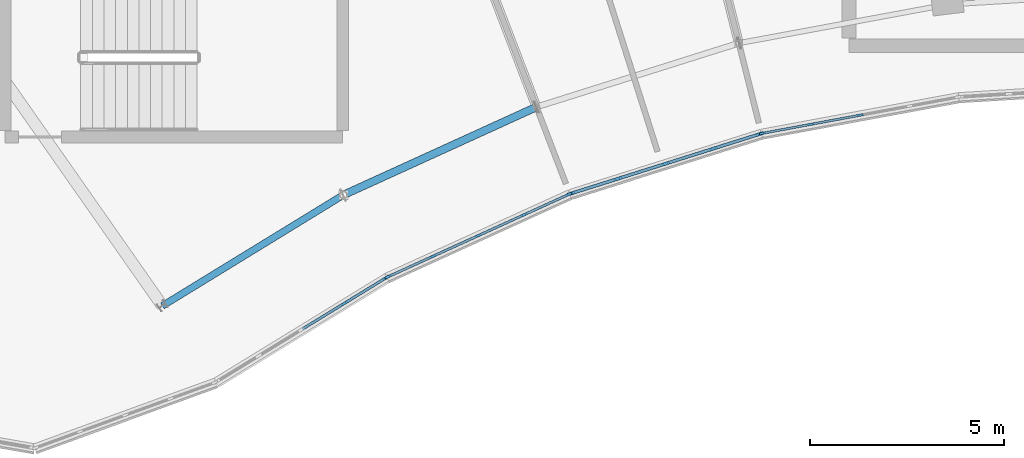
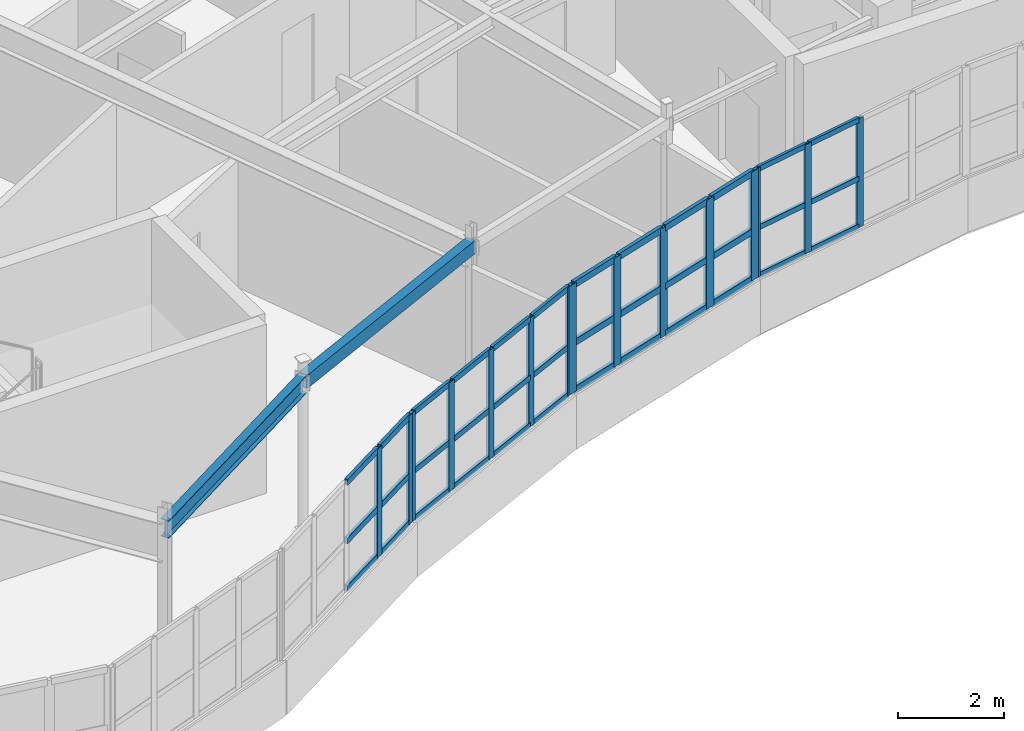
# One storey, part 26 of 65: 51 members, 2 beams, 4 elements without a shape of their own.
"""IFC4 building model written with IfcOpenShell, lengths in metres."""

import ifcopenshell
import ifcopenshell.guid

model = None  # the IFC model being written
_history = None  # IfcOwnerHistory: only IFC2X3 demands one
_inside = {}  # id of a spatial element -> (the spatial element, [elements in it])
_under = {}  # id of a project, library or spatial element -> (it, [spatial elements below it])
_declared = {}  # id of a project -> (the project, [libraries it declares])
_typed = {}  # id of a type object -> (the type object, [elements of that type])
_made_of = {}  # id of a material, layer set ... -> (it, [elements and type objects made of it])


def new_model(schema):
    """Start an empty IFC model of exactly this schema.

    Asked for "IFC4X3", IfcOpenShell would pick the latest addendum, in which some entities
    have other attributes; the version numbers below select the first issue.
    IFC2X3 requires an IfcOwnerHistory on every rooted entity: one is made here for all.
    """
    global model, _history
    if schema == "IFC4X3":
        model = ifcopenshell.file(schema_version=(4, 3, 0, 0))
    else:
        model = ifcopenshell.file(schema=schema)
    _inside.clear()
    _under.clear()
    _declared.clear()
    _typed.clear()
    _made_of.clear()
    _history = None
    if model.schema == "IFC2X3":
        org = make("IfcOrganization", Name="unknown")
        user = make(
            "IfcPersonAndOrganization",
            ThePerson=make("IfcPerson", FamilyName="unknown"),
            TheOrganization=org,
        )
        app = make(
            "IfcApplication",
            ApplicationDeveloper=org,
            Version="unknown",
            ApplicationFullName="unknown",
            ApplicationIdentifier="unknown",
        )
        _history = make(
            "IfcOwnerHistory",
            OwningUser=user,
            OwningApplication=app,
            ChangeAction="ADDED",
            CreationDate=0,
        )
    return model


def make(cls, **values):
    """One entity of the class cls with the attributes given. An attribute that is None is left unset."""
    return model.create_entity(
        cls, **{name: value for name, value in values.items() if value is not None}
    )


def rooted(cls, **values):
    """An entity with a GlobalId (a new one), such as an element, a storey or a relation."""
    return make(cls, GlobalId=ifcopenshell.guid.new(), OwnerHistory=_history, **values)


def si_unit(unit_type, name, prefix=None):
    """IfcSIUnit, for example si_unit("LENGTHUNIT", "METRE", prefix="MILLI")."""
    return make("IfcSIUnit", UnitType=unit_type, Prefix=prefix, Name=name)


def assignment(units):
    """IfcUnitAssignment: the units of a project."""
    return None if units is None else make("IfcUnitAssignment", Units=units)


def point(xyz):
    """IfcCartesianPoint."""
    return None if xyz is None else make("IfcCartesianPoint", Coordinates=xyz)


def direction(xyz):
    """IfcDirection."""
    return None if xyz is None else make("IfcDirection", DirectionRatios=xyz)


def frame(location, z_axis=None, x_axis=None):
    """IfcAxis2Placement3D, a coordinate frame: its origin and axes. An axis left out is left unset."""
    return make(
        "IfcAxis2Placement3D",
        Location=point(location),
        Axis=direction(z_axis),
        RefDirection=direction(x_axis),
    )


def frame_2d(location, x_axis=None):
    """IfcAxis2Placement2D, a coordinate frame in the plane: its origin and x axis."""
    return make(
        "IfcAxis2Placement2D", Location=point(location), RefDirection=direction(x_axis)
    )


def origin():
    """The frame at (0, 0, 0) with its axes left unset."""
    return frame((0.0, 0.0, 0.0))


def origin_2d():
    """The frame at (0, 0) in the plane with its x axis left unset."""
    return frame_2d((0.0, 0.0))


def place(relative_to, where):
    """IfcLocalPlacement: puts the frame where relative to a parent placement (None: the world)."""
    return make(
        "IfcLocalPlacement", PlacementRelTo=relative_to, RelativePlacement=where
    )


def context(
    kind, dimensions, precision=None, world=None, true_north=None, identifier=None
):
    """IfcGeometricRepresentationContext, for example the 3D "Model" context."""
    return make(
        "IfcGeometricRepresentationContext",
        ContextIdentifier=identifier,
        ContextType=kind,
        CoordinateSpaceDimension=dimensions,
        Precision=precision,
        WorldCoordinateSystem=world,
        TrueNorth=true_north,
    )


def subcontext(parent, identifier, kind, view, scale=None):
    """IfcGeometricRepresentationSubContext, for example "Body" below "Model"."""
    return make(
        "IfcGeometricRepresentationSubContext",
        ContextIdentifier=identifier,
        ContextType=kind,
        ParentContext=parent,
        TargetScale=scale,
        TargetView=view,
    )


def project(units=None, contexts=None):
    """IfcProject with its units and contexts."""
    return rooted(
        "IfcProject",
        Name="project",
        RepresentationContexts=contexts,
        UnitsInContext=assignment(units),
    )


def spatial(cls, under=None, at=None, **own):
    """A site, building, storey or space (cls), placed at a placement, below another one or the project."""
    s = rooted(cls, ObjectPlacement=at, **own)
    if under is not None:
        _under.setdefault(under.id(), (under, []))[1].append(s)
    return s


def profile(cls, at=None, kind="AREA", **sizes):
    """A parametric profile (cls). Its sizes go by their IFC names, for example OverallWidth=200.0."""
    return make(cls, ProfileType=kind, Position=at, **sizes)


def rectangle(**sizes):
    """IfcRectangleProfileDef."""
    return profile("IfcRectangleProfileDef", **sizes)


def hollow_rectangle(**sizes):
    """IfcRectangleHollowProfileDef."""
    return profile("IfcRectangleHollowProfileDef", **sizes)


def i_section(**sizes):
    """IfcIShapeProfileDef."""
    return profile("IfcIShapeProfileDef", **sizes)


def extrude(swept, where, along, depth):
    """IfcExtrudedAreaSolid: the profile swept, set in the frame where, extruded along a direction by depth."""
    return make(
        "IfcExtrudedAreaSolid",
        SweptArea=swept,
        Position=where,
        ExtrudedDirection=direction(along),
        Depth=depth,
    )


def shape(context_of_items, identifier, shape_type, items):
    """IfcShapeRepresentation: the items that make up one representation, for example the "Body"."""
    return make(
        "IfcShapeRepresentation",
        ContextOfItems=context_of_items,
        RepresentationIdentifier=identifier,
        RepresentationType=shape_type,
        Items=items,
    )


def material(Name=None, Category=None):
    """IfcMaterial."""
    return make("IfcMaterial", Name=Name, Category=Category)


def layer(
    of_material, thickness, ventilated=None, Name=None, Category=None, Priority=None
):
    """IfcMaterialLayer: one layer of a wall or slab, of a material (None: an air gap)."""
    return make(
        "IfcMaterialLayer",
        Material=of_material,
        LayerThickness=thickness,
        IsVentilated=ventilated,
        Name=Name,
        Category=Category,
        Priority=Priority,
    )


def layer_set(layers, Name=None):
    """IfcMaterialLayerSet."""
    return make("IfcMaterialLayerSet", MaterialLayers=layers, LayerSetName=Name)


def material_profile(
    of_material, cross_section, Name=None, Category=None, Priority=None
):
    """IfcMaterialProfile: a cross section and its material."""
    return make(
        "IfcMaterialProfile",
        Name=Name,
        Material=of_material,
        Profile=cross_section,
        Priority=Priority,
        Category=Category,
    )


def profile_set(profiles, Name=None, composite=None):
    """IfcMaterialProfileSet."""
    return make(
        "IfcMaterialProfileSet",
        Name=Name,
        MaterialProfiles=profiles,
        CompositeProfile=composite,
    )


def made_of(thing, what):
    """Note that an element or type object is made of a material, layer set ...; save() writes the relation."""
    if what is not None:
        _made_of.setdefault(what.id(), (what, []))[1].append(thing)
    return thing


def type_object(cls, material=None, **own):
    """A type object (cls), such as IfcWallType, which elements share."""
    return made_of(rooted(cls, **own), material)


def element(
    cls,
    number,
    at=None,
    inside=None,
    cuts=None,
    type_object=None,
    material=None,
    context=None,
    identifier="Body",
    shape_type=None,
    held_by="IfcProductDefinitionShape",
    body=None,
    shapes=None,
    **own,
):
    """One element of the class cls, such as IfcWall. Its Tag is "e" and its number.

    at: its placement. inside: the storey or other place that contains it. cuts: it is an
    opening in that element (IfcRelVoidsElement). A single representation is given by context,
    identifier, shape_type and body (its items); several are given by shapes. held_by: the class
    of the entity that holds the representations. save() writes the other relations.
    """
    e = rooted(cls, Tag="e%d" % number, ObjectPlacement=at, **own)
    if body is not None:
        shapes = [shape(context, identifier, shape_type, body)]
    if shapes is not None:
        e.Representation = make(held_by, Representations=shapes)
    if inside is not None:
        _inside.setdefault(inside.id(), (inside, []))[1].append(e)
    if cuts is not None:
        rooted(
            "IfcRelVoidsElement", RelatingBuildingElement=cuts, RelatedOpeningElement=e
        )
    if type_object is not None:
        _typed.setdefault(type_object.id(), (type_object, []))[1].append(e)
    return made_of(e, material)


def aggregate(whole, parts):
    """IfcRelAggregates: a whole, such as a stair, and the parts it consists of."""
    return rooted("IfcRelAggregates", RelatingObject=whole, RelatedObjects=parts)


def save(model, path):
    """Write the relations noted so far, then the file.

    IfcRelAggregates (storeys below a building ...), IfcRelContainedInSpatialStructure (elements
    in a storey), IfcRelDefinesByType, IfcRelAssociatesMaterial and IfcRelDeclares: one each for
    every whole, place, type object, material and project.
    """
    for whole, parts in _under.values():
        aggregate(whole, parts)
    for where, things in _inside.values():
        rooted(
            "IfcRelContainedInSpatialStructure",
            RelatedElements=things,
            RelatingStructure=where,
        )
    for kind, things in _typed.values():
        rooted("IfcRelDefinesByType", RelatedObjects=things, RelatingType=kind)
    for what, things in _made_of.values():
        rooted("IfcRelAssociatesMaterial", RelatedObjects=things, RelatingMaterial=what)
    for by, libraries in _declared.values():
        rooted("IfcRelDeclares", RelatingContext=by, RelatedDefinitions=libraries)
    model.write(path)


model = new_model("IFC4")

# Units and contexts
model_context = context("Model", 3, precision=1e-05, world=origin(), true_north=direction((0.0, 1.0)))
body_context = subcontext(model_context, "Body", "Model", "MODEL_VIEW")
ifc_project = project(units=[si_unit("LENGTHUNIT", "METRE"), si_unit("AREAUNIT", "SQUARE_METRE"), si_unit("VOLUMEUNIT", "CUBIC_METRE"), si_unit("PLANEANGLEUNIT", "RADIAN"), si_unit("MASSUNIT", "GRAM", prefix="KILO")], contexts=[model_context])

# Site, building, storey
site_placement = place(None, origin())
site = spatial("IfcSite", under=ifc_project, at=site_placement, CompositionType="ELEMENT")
building_placement = place(site_placement, origin())
building = spatial("IfcBuilding", under=site, at=building_placement, Name="Tarnwether General Hospital", CompositionType="ELEMENT")
storey_placement = place(building_placement, frame((0.0, 0.0, 22.199951171875)))
storey = spatial("IfcBuildingStorey", under=building, at=storey_placement, Name="L05", CompositionType="ELEMENT", Elevation=22.199951171875)

# Beams
ifc_material_1 = material(Name="Steel Grade 350 (350 MPa)", Category="steel")
ifc_material_profile_1 = material_profile(ifc_material_1, i_section(OverallWidth=0.177978515625, OverallDepth=0.403076171875, WebThickness=0.007568359375, FlangeThickness=0.010986328125, at=origin_2d()), Name="410UB53.7")
ifc_profile_set_1 = profile_set([ifc_material_profile_1], Name="Steel Grade 350 (350 MPa)")
beam_type_1 = type_object("IfcBeamType", Name="BM-SP2", PredefinedType="SPANDREL", material=ifc_profile_set_1)
beam_1_placement = place(storey_placement, frame((66.303955078125, 99.697998046875, 3.358642578125), z_axis=(0.85265897909, 0.522467860617, 0.0), x_axis=(-0.522467860617, 0.85265897909, 0.0)))
element("IfcBeam", 1, at=beam_1_placement, inside=storey, type_object=beam_type_1, Name="Curved Ward NW Inner Spandrel BMG-L05-6630_9970-7097_10256-1988", PredefinedType="SPANDREL", context=body_context, shape_type="SweptSolid", body=[
    extrude(i_section(OverallWidth=0.177978515625, OverallDepth=0.403076171875, WebThickness=0.007568359375, FlangeThickness=0.010986328125, at=origin_2d()), origin(), (0.0, 0.0, 1.0), 5.469970703125),
])
ifc_material_2 = material(Name="Steel Grade C350L0 (350 MPa)", Category="steel")
ifc_material_profile_2 = material_profile(ifc_material_2, hollow_rectangle(XDim=0.199951171875, YDim=0.300048828125, WallThickness=0.012451171875, at=origin_2d()), Name="RHS300x200x12.5")
ifc_profile_set_2 = profile_set([ifc_material_profile_2], Name="Steel Grade C350L0 (350 MPa)")
beam_type_2 = type_object("IfcBeamType", Name="BM-SP3", PredefinedType="SPANDREL", material=ifc_profile_set_2)
beam_2_placement = place(storey_placement, frame((70.968017578125, 102.555908203125, 3.41015625), z_axis=(0.909968605358, 0.414677148228, 0.0), x_axis=(-0.414677148228, 0.909968605358, 0.0)))
element("IfcBeam", 2, at=beam_2_placement, inside=storey, type_object=beam_type_2, Name="Curved Ward NW Inner Spandrel BMG-L05-7097_10256-7594_10482-1990", PredefinedType="SPANDREL", context=body_context, shape_type="SweptSolid", body=[
    extrude(hollow_rectangle(XDim=0.199951171875, YDim=0.300048828125, WallThickness=0.012451171875, at=origin_2d()), origin(), (0.0, 0.0, 1.0), 5.469482421875),
])

# Curtain wall, members
ifc_material_3 = material(Name="Anodised aluminium", Category="aluminium")
ifc_layer = layer(ifc_material_3, 0.159912109375)
ifc_layer_set = layer_set([ifc_layer], Name="Anodised aluminium")
curtain_wall_type = type_object("IfcCurtainWallType", Name="CW-03", PredefinedType="NOTDEFINED", material=ifc_layer_set)
curtain_wall_1_placement = place(storey_placement, origin())
curtain_wall_1 = element("IfcCurtainWall", 3, at=curtain_wall_1_placement, inside=storey, type_object=curtain_wall_type, Name="Curtain Wall CWG-L05-868_1051-0073", PredefinedType="NOTDEFINED")
ifc_material_4 = material(Name="Anodised aluminium", Category="aluminium")
ifc_material_profile_3 = material_profile(ifc_material_4, rectangle(XDim=0.06005859375, YDim=0.159912109375, at=origin_2d()), Name="ALU-MUL-60x160")
ifc_profile_set_3 = profile_set([ifc_material_profile_3], Name="Anodised aluminium")
member_type_1 = type_object("IfcMemberType", Name="CW-ML1", PredefinedType="MULLION", material=ifc_profile_set_3)
member_1_placement = place(storey_placement, frame((84.2880859375, 104.612548828125, 1.050048828125), z_axis=(0.0, 0.0, 1.0), x_axis=(0.182165351666, -0.983267910924, 0.0)))
member_1 = element("IfcMember", 4, at=member_1_placement, type_object=member_type_1, Name="CW-03 mullion 3", PredefinedType="MULLION", context=body_context, shape_type="SweptSolid", body=[
    extrude(rectangle(XDim=0.06005859375, YDim=0.159912109375, at=origin_2d()), origin(), (0.0, 0.0, 1.0), 2.510009765625),
])
member_2_placement = place(storey_placement, frame((83.015380859375, 104.376708984375, 1.050048828125), z_axis=(0.0, 0.0, 1.0), x_axis=(0.182165351666, -0.983267910924, 0.0)))
member_2 = element("IfcMember", 5, at=member_2_placement, type_object=member_type_1, Name="CW-03 mullion 4", PredefinedType="MULLION", context=body_context, shape_type="SweptSolid", body=[
    extrude(rectangle(XDim=0.06005859375, YDim=0.159912109375, at=origin_2d()), origin(), (0.0, 0.0, 1.0), 2.510009765625),
])
member_3_placement = place(storey_placement, frame((81.7724609375, 104.146484375, 1.050048828125), z_axis=(0.0, 0.0, 1.0), x_axis=(0.182165351666, -0.983267910924, 0.0)))
member_3 = element("IfcMember", 6, at=member_3_placement, type_object=member_type_1, Name="CW-03 mullion 5", PredefinedType="MULLION", context=body_context, shape_type="SweptSolid", body=[
    extrude(rectangle(XDim=0.06005859375, YDim=0.159912109375, at=origin_2d()), origin(), (0.0, 0.0, 1.0), 2.510009765625),
])

curtain_wall_2_placement = place(storey_placement, origin())
curtain_wall_2 = element("IfcCurtainWall", 7, at=curtain_wall_2_placement, inside=storey, type_object=curtain_wall_type, Name="Curtain Wall CWG-L05-721_1004-0070", PredefinedType="NOTDEFINED")
ifc_material_5 = material(Name="Anodised aluminium", Category="aluminium")
ifc_material_profile_4 = material_profile(ifc_material_5, rectangle(XDim=0.070068359375, YDim=0.179931640625, at=origin_2d()), Name="ALU-MUL-70x180")
ifc_profile_set_4 = profile_set([ifc_material_profile_4], Name="Anodised aluminium")
member_type_2 = type_object("IfcMemberType", Name="CW-ML2", PredefinedType="MULLION", material=ifc_profile_set_4)
member_4_placement = place(storey_placement, frame((72.064208984375, 100.418701171875, 1.050048828125), z_axis=(0.0, 0.0, 1.0), x_axis=(0.522512231483, -0.852631789198, 0.0)))
member_4 = element("IfcMember", 8, at=member_4_placement, type_object=member_type_2, Name="CW-03 mullion 1", PredefinedType="MULLION", context=body_context, shape_type="SweptSolid", body=[
    extrude(rectangle(XDim=0.070068359375, YDim=0.179931640625, at=origin_2d()), origin(), (0.0, 0.0, 1.0), 2.510009765625),
])
member_5_placement = place(storey_placement, frame((70.990478515625, 99.7607421875, 1.050048828125), z_axis=(0.0, 0.0, 1.0), x_axis=(0.522512231483, -0.852631789198, 0.0)))
member_5 = element("IfcMember", 9, at=member_5_placement, type_object=member_type_2, Name="CW-03 mullion 2", PredefinedType="MULLION", context=body_context, shape_type="SweptSolid", body=[
    extrude(rectangle(XDim=0.070068359375, YDim=0.179931640625, at=origin_2d()), origin(), (0.0, 0.0, 1.0), 2.510009765625),
])

curtain_wall_3_placement = place(storey_placement, origin())
curtain_wall_3 = element("IfcCurtainWall", 10, at=curtain_wall_3_placement, inside=storey, type_object=curtain_wall_type, Name="Curtain Wall CWG-L05-768_1026-0071", PredefinedType="NOTDEFINED")
ifc_material_6 = material(Name="Anodised aluminium", Category="aluminium")
ifc_material_profile_5 = material_profile(ifc_material_6, rectangle(XDim=0.06494140625, YDim=0.169921875, at=origin_2d()), Name="ALU-MUL-65x170")
ifc_profile_set_5 = profile_set([ifc_material_profile_5], Name="Anodised aluminium")
member_type_3 = type_object("IfcMemberType", Name="CW-ML3", PredefinedType="MULLION", material=ifc_profile_set_5)
member_6_placement = place(storey_placement, frame((76.775390625, 102.570556640625, 1.050048828125), z_axis=(0.0, 0.0, 1.0), x_axis=(0.41470501572, -0.90995590549, 0.0)))
member_6 = element("IfcMember", 11, at=member_6_placement, type_object=member_type_3, Name="CW-03 mullion 1", PredefinedType="MULLION", context=body_context, shape_type="SweptSolid", body=[
    extrude(rectangle(XDim=0.06494140625, YDim=0.169921875, at=origin_2d()), origin(), (0.0, 0.0, 1.0), 2.510009765625),
])
member_7_placement = place(storey_placement, frame((75.627197265625, 102.04736328125, 1.050048828125), z_axis=(0.0, 0.0, 1.0), x_axis=(0.41470501572, -0.90995590549, 0.0)))
member_7 = element("IfcMember", 12, at=member_7_placement, type_object=member_type_3, Name="CW-03 mullion 2", PredefinedType="MULLION", context=body_context, shape_type="SweptSolid", body=[
    extrude(rectangle(XDim=0.06494140625, YDim=0.169921875, at=origin_2d()), origin(), (0.0, 0.0, 1.0), 2.510009765625),
])
member_8_placement = place(storey_placement, frame((74.449462890625, 101.510498046875, 1.050048828125), z_axis=(0.0, 0.0, 1.0), x_axis=(0.41470501572, -0.90995590549, 0.0)))
member_8 = element("IfcMember", 13, at=member_8_placement, type_object=member_type_3, Name="CW-03 mullion 3", PredefinedType="MULLION", context=body_context, shape_type="SweptSolid", body=[
    extrude(rectangle(XDim=0.06494140625, YDim=0.169921875, at=origin_2d()), origin(), (0.0, 0.0, 1.0), 2.510009765625),
])
member_9_placement = place(storey_placement, frame((73.271728515625, 100.9736328125, 1.050048828125), z_axis=(0.0, 0.0, 1.0), x_axis=(0.41470501572, -0.90995590549, 0.0)))
member_9 = element("IfcMember", 14, at=member_9_placement, type_object=member_type_3, Name="CW-03 mullion 4", PredefinedType="MULLION", context=body_context, shape_type="SweptSolid", body=[
    extrude(rectangle(XDim=0.06494140625, YDim=0.169921875, at=origin_2d()), origin(), (0.0, 0.0, 1.0), 2.510009765625),
])
member_10_placement = place(storey_placement, frame((72.12353515625, 100.450439453125, 1.050048828125), z_axis=(0.0, 0.0, 1.0), x_axis=(0.41470501572, -0.90995590549, 0.0)))
member_10 = element("IfcMember", 15, at=member_10_placement, type_object=member_type_3, Name="CW-03 mullion 5", PredefinedType="MULLION", context=body_context, shape_type="SweptSolid", body=[
    extrude(rectangle(XDim=0.06494140625, YDim=0.169921875, at=origin_2d()), origin(), (0.0, 0.0, 1.0), 2.510009765625),
])

curtain_wall_4_placement = place(storey_placement, origin())
curtain_wall_4 = element("IfcCurtainWall", 16, at=curtain_wall_4_placement, inside=storey, type_object=curtain_wall_type, Name="Curtain Wall CWG-L05-817_1041-0072", PredefinedType="NOTDEFINED")
ifc_material_7 = material(Name="Anodised aluminium", Category="aluminium")
ifc_material_profile_6 = material_profile(ifc_material_7, rectangle(XDim=0.080078125, YDim=0.199951171875, at=origin_2d()), Name="ALU-MUL-80x200")
ifc_profile_set_6 = profile_set([ifc_material_profile_6], Name="Anodised aluminium")
member_type_4 = type_object("IfcMemberType", Name="CW-ML4", PredefinedType="MULLION", material=ifc_profile_set_6)
member_11_placement = place(storey_placement, frame((81.704833984375, 104.12890625, 1.050048828125), z_axis=(0.0, 0.0, 1.0), x_axis=(0.30071538783, -0.953713927508, 0.0)))
member_11 = element("IfcMember", 17, at=member_11_placement, type_object=member_type_4, Name="CW-03 mullion 1", PredefinedType="MULLION", context=body_context, shape_type="SweptSolid", body=[
    extrude(rectangle(XDim=0.080078125, YDim=0.199951171875, at=origin_2d()), origin(), (0.0, 0.0, 1.0), 2.510009765625),
])
member_12_placement = place(storey_placement, frame((80.508544921875, 103.751708984375, 1.050048828125), z_axis=(0.0, 0.0, 1.0), x_axis=(0.30071538783, -0.953713927508, 0.0)))
member_12 = element("IfcMember", 18, at=member_12_placement, type_object=member_type_4, Name="CW-03 mullion 2", PredefinedType="MULLION", context=body_context, shape_type="SweptSolid", body=[
    extrude(rectangle(XDim=0.080078125, YDim=0.199951171875, at=origin_2d()), origin(), (0.0, 0.0, 1.0), 2.510009765625),
])
member_13_placement = place(storey_placement, frame((79.27392578125, 103.362548828125, 1.050048828125), z_axis=(0.0, 0.0, 1.0), x_axis=(0.30071538783, -0.953713927508, 0.0)))
member_13 = element("IfcMember", 19, at=member_13_placement, type_object=member_type_4, Name="CW-03 mullion 3", PredefinedType="MULLION", context=body_context, shape_type="SweptSolid", body=[
    extrude(rectangle(XDim=0.080078125, YDim=0.199951171875, at=origin_2d()), origin(), (0.0, 0.0, 1.0), 2.510009765625),
])
member_14_placement = place(storey_placement, frame((78.03955078125, 102.97314453125, 1.050048828125), z_axis=(0.0, 0.0, 1.0), x_axis=(0.30071538783, -0.953713927508, 0.0)))
member_14 = element("IfcMember", 20, at=member_14_placement, type_object=member_type_4, Name="CW-03 mullion 4", PredefinedType="MULLION", context=body_context, shape_type="SweptSolid", body=[
    extrude(rectangle(XDim=0.080078125, YDim=0.199951171875, at=origin_2d()), origin(), (0.0, 0.0, 1.0), 2.510009765625),
])
member_15_placement = place(storey_placement, frame((76.84326171875, 102.595947265625, 1.050048828125), z_axis=(0.0, 0.0, 1.0), x_axis=(0.30071538783, -0.953713927508, 0.0)))
member_15 = element("IfcMember", 21, at=member_15_placement, type_object=member_type_4, Name="CW-03 mullion 5", PredefinedType="MULLION", context=body_context, shape_type="SweptSolid", body=[
    extrude(rectangle(XDim=0.080078125, YDim=0.199951171875, at=origin_2d()), origin(), (0.0, 0.0, 1.0), 2.510009765625),
])

# Member
ifc_material_8 = material(Name="Anodised aluminium", Category="aluminium")
ifc_material_profile_7 = material_profile(ifc_material_8, rectangle(XDim=0.06005859375, YDim=0.1201171875, at=origin_2d()), Name="ALU-TRN-60x120")
ifc_profile_set_7 = profile_set([ifc_material_profile_7], Name="Anodised aluminium")
member_type_5 = type_object("IfcMemberType", Name="CW-TR1", PredefinedType="USERDEFINED", material=ifc_profile_set_7)
member_16_placement = place(storey_placement, frame((84.258544921875, 104.60693359375, 1.080078125), z_axis=(-0.983301675068, -0.181983009669, 0.0), x_axis=(0.181983009669, -0.983301675068, 0.0)))
member_16 = element("IfcMember", 22, at=member_16_placement, type_object=member_type_5, Name="CW-03 transom 3.1", ObjectType="TRANSOM", PredefinedType="USERDEFINED", context=body_context, shape_type="SweptSolid", body=[
    extrude(rectangle(XDim=0.06005859375, YDim=0.1201171875, at=origin_2d()), origin(), (0.0, 0.0, 1.0), 1.234130859375),
])

member_17_placement = place(storey_placement, frame((84.258544921875, 104.60693359375, 2.179443359375), z_axis=(-0.983301675068, -0.181983009669, 0.0), x_axis=(0.181983009669, -0.983301675068, 0.0)))
member_17 = element("IfcMember", 23, at=member_17_placement, type_object=member_type_5, Name="CW-03 transom 3.2", ObjectType="TRANSOM", PredefinedType="USERDEFINED", context=body_context, shape_type="SweptSolid", body=[
    extrude(rectangle(XDim=0.06005859375, YDim=0.1201171875, at=origin_2d()), origin(), (0.0, 0.0, 1.0), 1.234130859375),
])

member_18_placement = place(storey_placement, frame((84.258544921875, 104.60693359375, 3.530029296875), z_axis=(-0.983301675068, -0.181983009669, 0.0), x_axis=(0.181983009669, -0.983301675068, 0.0)))
member_18 = element("IfcMember", 24, at=member_18_placement, type_object=member_type_5, Name="CW-03 transom 3.3", ObjectType="TRANSOM", PredefinedType="USERDEFINED", context=body_context, shape_type="SweptSolid", body=[
    extrude(rectangle(XDim=0.06005859375, YDim=0.1201171875, at=origin_2d()), origin(), (0.0, 0.0, 1.0), 1.234130859375),
])

member_19_placement = place(storey_placement, frame((82.986083984375, 104.371337890625, 1.080078125), z_axis=(-0.983251070117, -0.182256229286, 0.0), x_axis=(0.182256229286, -0.983251070117, 0.0)))
member_19 = element("IfcMember", 25, at=member_19_placement, type_object=member_type_5, Name="CW-03 transom 4.1", ObjectType="TRANSOM", PredefinedType="USERDEFINED", context=body_context, shape_type="SweptSolid", body=[
    extrude(rectangle(XDim=0.06005859375, YDim=0.1201171875, at=origin_2d()), origin(), (0.0, 0.0, 1.0), 1.204345703125),
])

member_20_placement = place(storey_placement, frame((82.986083984375, 104.371337890625, 2.179443359375), z_axis=(-0.983251070117, -0.182256229286, 0.0), x_axis=(0.182256229286, -0.983251070117, 0.0)))
member_20 = element("IfcMember", 26, at=member_20_placement, type_object=member_type_5, Name="CW-03 transom 4.2", ObjectType="TRANSOM", PredefinedType="USERDEFINED", context=body_context, shape_type="SweptSolid", body=[
    extrude(rectangle(XDim=0.06005859375, YDim=0.1201171875, at=origin_2d()), origin(), (0.0, 0.0, 1.0), 1.204345703125),
])

member_21_placement = place(storey_placement, frame((82.986083984375, 104.371337890625, 3.530029296875), z_axis=(-0.983251070117, -0.182256229286, 0.0), x_axis=(0.182256229286, -0.983251070117, 0.0)))
member_21 = element("IfcMember", 27, at=member_21_placement, type_object=member_type_5, Name="CW-03 transom 4.3", ObjectType="TRANSOM", PredefinedType="USERDEFINED", context=body_context, shape_type="SweptSolid", body=[
    extrude(rectangle(XDim=0.06005859375, YDim=0.1201171875, at=origin_2d()), origin(), (0.0, 0.0, 1.0), 1.204345703125),
])

aggregate(curtain_wall_1, [member_1, member_2, member_3, member_16, member_17, member_18, member_19, member_20, member_21])

ifc_material_9 = material(Name="Anodised aluminium", Category="aluminium")
ifc_material_profile_8 = material_profile(ifc_material_9, rectangle(XDim=0.070068359375, YDim=0.139892578125, at=origin_2d()), Name="ALU-TRN-70x140")
ifc_profile_set_8 = profile_set([ifc_material_profile_8], Name="Anodised aluminium")
member_type_6 = type_object("IfcMemberType", Name="CW-TR2", PredefinedType="USERDEFINED", material=ifc_profile_set_8)
member_22_placement = place(storey_placement, frame((72.034423828125, 100.400390625, 1.0849609375), z_axis=(-0.852692694866, -0.522412833037, 0.0), x_axis=(0.522412833037, -0.852692694866, 0.0)))
member_22 = element("IfcMember", 28, at=member_22_placement, type_object=member_type_6, Name="CW-03 transom 1.1", ObjectType="TRANSOM", PredefinedType="USERDEFINED", context=body_context, shape_type="SweptSolid", body=[
    extrude(rectangle(XDim=0.070068359375, YDim=0.139892578125, at=origin_2d()), origin(), (0.0, 0.0, 1.0), 1.189453125),
])

member_23_placement = place(storey_placement, frame((72.034423828125, 100.400390625, 2.179443359375), z_axis=(-0.852692694866, -0.522412833037, 0.0), x_axis=(0.522412833037, -0.852692694866, 0.0)))
member_23 = element("IfcMember", 29, at=member_23_placement, type_object=member_type_6, Name="CW-03 transom 1.2", ObjectType="TRANSOM", PredefinedType="USERDEFINED", context=body_context, shape_type="SweptSolid", body=[
    extrude(rectangle(XDim=0.070068359375, YDim=0.139892578125, at=origin_2d()), origin(), (0.0, 0.0, 1.0), 1.189453125),
])

member_24_placement = place(storey_placement, frame((72.034423828125, 100.400390625, 3.525146484375), z_axis=(-0.852692694866, -0.522412833037, 0.0), x_axis=(0.522412833037, -0.852692694866, 0.0)))
member_24 = element("IfcMember", 30, at=member_24_placement, type_object=member_type_6, Name="CW-03 transom 1.3", ObjectType="TRANSOM", PredefinedType="USERDEFINED", context=body_context, shape_type="SweptSolid", body=[
    extrude(rectangle(XDim=0.070068359375, YDim=0.139892578125, at=origin_2d()), origin(), (0.0, 0.0, 1.0), 1.189453125),
])

member_25_placement = place(storey_placement, frame((70.960693359375, 99.742431640625, 1.0849609375), z_axis=(-0.852670027324, -0.522449829651, 0.0), x_axis=(0.522449829651, -0.852670027324, 0.0)))
member_25 = element("IfcMember", 31, at=member_25_placement, type_object=member_type_6, Name="CW-03 transom 2.1", ObjectType="TRANSOM", PredefinedType="USERDEFINED", context=body_context, shape_type="SweptSolid", body=[
    extrude(rectangle(XDim=0.070068359375, YDim=0.139892578125, at=origin_2d()), origin(), (0.0, 0.0, 1.0), 1.224365234375),
])

member_26_placement = place(storey_placement, frame((70.960693359375, 99.742431640625, 2.179443359375), z_axis=(-0.852670027324, -0.522449829651, 0.0), x_axis=(0.522449829651, -0.852670027324, 0.0)))
member_26 = element("IfcMember", 32, at=member_26_placement, type_object=member_type_6, Name="CW-03 transom 2.2", ObjectType="TRANSOM", PredefinedType="USERDEFINED", context=body_context, shape_type="SweptSolid", body=[
    extrude(rectangle(XDim=0.070068359375, YDim=0.139892578125, at=origin_2d()), origin(), (0.0, 0.0, 1.0), 1.224365234375),
])

member_27_placement = place(storey_placement, frame((70.960693359375, 99.742431640625, 3.525146484375), z_axis=(-0.852670027324, -0.522449829651, 0.0), x_axis=(0.522449829651, -0.852670027324, 0.0)))
member_27 = element("IfcMember", 33, at=member_27_placement, type_object=member_type_6, Name="CW-03 transom 2.3", ObjectType="TRANSOM", PredefinedType="USERDEFINED", context=body_context, shape_type="SweptSolid", body=[
    extrude(rectangle(XDim=0.070068359375, YDim=0.139892578125, at=origin_2d()), origin(), (0.0, 0.0, 1.0), 1.224365234375),
])

aggregate(curtain_wall_2, [member_4, member_5, member_22, member_23, member_24, member_25, member_26, member_27])

ifc_material_10 = material(Name="Anodised aluminium", Category="aluminium")
ifc_material_profile_9 = material_profile(ifc_material_10, rectangle(XDim=0.06494140625, YDim=0.1298828125, at=origin_2d()), Name="ALU-TRN-65x130")
ifc_profile_set_9 = profile_set([ifc_material_profile_9], Name="Anodised aluminium")
member_type_7 = type_object("IfcMemberType", Name="CW-TR3", PredefinedType="USERDEFINED", material=ifc_profile_set_9)
member_28_placement = place(storey_placement, frame((76.745849609375, 102.55712890625, 1.08251953125), z_axis=(-0.909960872611, -0.41469411657, 0.0), x_axis=(0.41469411657, -0.909960872611, 0.0)))
member_28 = element("IfcMember", 34, at=member_28_placement, type_object=member_type_7, Name="CW-03 transom 1.1", ObjectType="TRANSOM", PredefinedType="USERDEFINED", context=body_context, shape_type="SweptSolid", body=[
    extrude(rectangle(XDim=0.06494140625, YDim=0.1298828125, at=origin_2d()), origin(), (0.0, 0.0, 1.0), 1.19677734375),
])

member_29_placement = place(storey_placement, frame((76.745849609375, 102.55712890625, 2.179443359375), z_axis=(-0.909960872611, -0.41469411657, 0.0), x_axis=(0.41469411657, -0.909960872611, 0.0)))
member_29 = element("IfcMember", 35, at=member_29_placement, type_object=member_type_7, Name="CW-03 transom 1.2", ObjectType="TRANSOM", PredefinedType="USERDEFINED", context=body_context, shape_type="SweptSolid", body=[
    extrude(rectangle(XDim=0.06494140625, YDim=0.1298828125, at=origin_2d()), origin(), (0.0, 0.0, 1.0), 1.19677734375),
])

member_30_placement = place(storey_placement, frame((76.745849609375, 102.55712890625, 3.527587890625), z_axis=(-0.909960872611, -0.41469411657, 0.0), x_axis=(0.41469411657, -0.909960872611, 0.0)))
member_30 = element("IfcMember", 36, at=member_30_placement, type_object=member_type_7, Name="CW-03 transom 1.3", ObjectType="TRANSOM", PredefinedType="USERDEFINED", context=body_context, shape_type="SweptSolid", body=[
    extrude(rectangle(XDim=0.06494140625, YDim=0.1298828125, at=origin_2d()), origin(), (0.0, 0.0, 1.0), 1.19677734375),
])

member_31_placement = place(storey_placement, frame((75.59765625, 102.03369140625, 1.08251953125), z_axis=(-0.909971590259, -0.414670598092, 0.0), x_axis=(0.414670598092, -0.909971590259, 0.0)))
member_31 = element("IfcMember", 37, at=member_31_placement, type_object=member_type_7, Name="CW-03 transom 2.1", ObjectType="TRANSOM", PredefinedType="USERDEFINED", context=body_context, shape_type="SweptSolid", body=[
    extrude(rectangle(XDim=0.06494140625, YDim=0.1298828125, at=origin_2d()), origin(), (0.0, 0.0, 1.0), 1.229248046875),
])

member_32_placement = place(storey_placement, frame((75.59765625, 102.03369140625, 2.179443359375), z_axis=(-0.909971590259, -0.414670598092, 0.0), x_axis=(0.414670598092, -0.909971590259, 0.0)))
member_32 = element("IfcMember", 38, at=member_32_placement, type_object=member_type_7, Name="CW-03 transom 2.2", ObjectType="TRANSOM", PredefinedType="USERDEFINED", context=body_context, shape_type="SweptSolid", body=[
    extrude(rectangle(XDim=0.06494140625, YDim=0.1298828125, at=origin_2d()), origin(), (0.0, 0.0, 1.0), 1.229248046875),
])

member_33_placement = place(storey_placement, frame((75.59765625, 102.03369140625, 3.527587890625), z_axis=(-0.909971590259, -0.414670598092, 0.0), x_axis=(0.414670598092, -0.909971590259, 0.0)))
member_33 = element("IfcMember", 39, at=member_33_placement, type_object=member_type_7, Name="CW-03 transom 2.3", ObjectType="TRANSOM", PredefinedType="USERDEFINED", context=body_context, shape_type="SweptSolid", body=[
    extrude(rectangle(XDim=0.06494140625, YDim=0.1298828125, at=origin_2d()), origin(), (0.0, 0.0, 1.0), 1.229248046875),
])

member_34_placement = place(storey_placement, frame((74.419921875, 101.4970703125, 1.08251953125), z_axis=(-0.909971590259, -0.414670598092, 0.0), x_axis=(0.414670598092, -0.909971590259, 0.0)))
member_34 = element("IfcMember", 40, at=member_34_placement, type_object=member_type_7, Name="CW-03 transom 3.1", ObjectType="TRANSOM", PredefinedType="USERDEFINED", context=body_context, shape_type="SweptSolid", body=[
    extrude(rectangle(XDim=0.06494140625, YDim=0.1298828125, at=origin_2d()), origin(), (0.0, 0.0, 1.0), 1.229248046875),
])

member_35_placement = place(storey_placement, frame((74.419921875, 101.4970703125, 2.179443359375), z_axis=(-0.909971590259, -0.414670598092, 0.0), x_axis=(0.414670598092, -0.909971590259, 0.0)))
member_35 = element("IfcMember", 41, at=member_35_placement, type_object=member_type_7, Name="CW-03 transom 3.2", ObjectType="TRANSOM", PredefinedType="USERDEFINED", context=body_context, shape_type="SweptSolid", body=[
    extrude(rectangle(XDim=0.06494140625, YDim=0.1298828125, at=origin_2d()), origin(), (0.0, 0.0, 1.0), 1.229248046875),
])

member_36_placement = place(storey_placement, frame((74.419921875, 101.4970703125, 3.527587890625), z_axis=(-0.909971590259, -0.414670598092, 0.0), x_axis=(0.414670598092, -0.909971590259, 0.0)))
member_36 = element("IfcMember", 42, at=member_36_placement, type_object=member_type_7, Name="CW-03 transom 3.3", ObjectType="TRANSOM", PredefinedType="USERDEFINED", context=body_context, shape_type="SweptSolid", body=[
    extrude(rectangle(XDim=0.06494140625, YDim=0.1298828125, at=origin_2d()), origin(), (0.0, 0.0, 1.0), 1.229248046875),
])

member_37_placement = place(storey_placement, frame((73.2421875, 100.960205078125, 1.08251953125), z_axis=(-0.909960872611, -0.41469411657, 0.0), x_axis=(0.41469411657, -0.909960872611, 0.0)))
member_37 = element("IfcMember", 43, at=member_37_placement, type_object=member_type_7, Name="CW-03 transom 4.1", ObjectType="TRANSOM", PredefinedType="USERDEFINED", context=body_context, shape_type="SweptSolid", body=[
    extrude(rectangle(XDim=0.06494140625, YDim=0.1298828125, at=origin_2d()), origin(), (0.0, 0.0, 1.0), 1.19677734375),
])

member_38_placement = place(storey_placement, frame((73.2421875, 100.960205078125, 2.179443359375), z_axis=(-0.909960872611, -0.41469411657, 0.0), x_axis=(0.41469411657, -0.909960872611, 0.0)))
member_38 = element("IfcMember", 44, at=member_38_placement, type_object=member_type_7, Name="CW-03 transom 4.2", ObjectType="TRANSOM", PredefinedType="USERDEFINED", context=body_context, shape_type="SweptSolid", body=[
    extrude(rectangle(XDim=0.06494140625, YDim=0.1298828125, at=origin_2d()), origin(), (0.0, 0.0, 1.0), 1.19677734375),
])

member_39_placement = place(storey_placement, frame((73.2421875, 100.960205078125, 3.527587890625), z_axis=(-0.909960872611, -0.41469411657, 0.0), x_axis=(0.41469411657, -0.909960872611, 0.0)))
member_39 = element("IfcMember", 45, at=member_39_placement, type_object=member_type_7, Name="CW-03 transom 4.3", ObjectType="TRANSOM", PredefinedType="USERDEFINED", context=body_context, shape_type="SweptSolid", body=[
    extrude(rectangle(XDim=0.06494140625, YDim=0.1298828125, at=origin_2d()), origin(), (0.0, 0.0, 1.0), 1.19677734375),
])

aggregate(curtain_wall_3, [member_6, member_7, member_8, member_9, member_10, member_28, member_29, member_30, member_31, member_32, member_33, member_34, member_35, member_36, member_37, member_38, member_39])

ifc_material_11 = material(Name="Anodised aluminium", Category="aluminium")
ifc_material_profile_10 = material_profile(ifc_material_11, rectangle(XDim=0.080078125, YDim=0.14990234375, at=origin_2d()), Name="ALU-TRN-80x150")
ifc_profile_set_10 = profile_set([ifc_material_profile_10], Name="Anodised aluminium")
member_type_8 = type_object("IfcMemberType", Name="CW-TR4", PredefinedType="USERDEFINED", material=ifc_profile_set_10)
member_40_placement = place(storey_placement, frame((81.666748046875, 104.116943359375, 1.090087890625), z_axis=(-0.953692556259, -0.300783158001, 0.0), x_axis=(0.300783158001, -0.953692556259, 0.0)))
member_40 = element("IfcMember", 46, at=member_40_placement, type_object=member_type_8, Name="CW-03 transom 1.1", ObjectType="TRANSOM", PredefinedType="USERDEFINED", context=body_context, shape_type="SweptSolid", body=[
    extrude(rectangle(XDim=0.080078125, YDim=0.14990234375, at=origin_2d()), origin(), (0.0, 0.0, 1.0), 1.174560546875),
])

member_41_placement = place(storey_placement, frame((81.666748046875, 104.116943359375, 2.179443359375), z_axis=(-0.953692556259, -0.300783158001, 0.0), x_axis=(0.300783158001, -0.953692556259, 0.0)))
member_41 = element("IfcMember", 47, at=member_41_placement, type_object=member_type_8, Name="CW-03 transom 1.2", ObjectType="TRANSOM", PredefinedType="USERDEFINED", context=body_context, shape_type="SweptSolid", body=[
    extrude(rectangle(XDim=0.080078125, YDim=0.14990234375, at=origin_2d()), origin(), (0.0, 0.0, 1.0), 1.174560546875),
])

member_42_placement = place(storey_placement, frame((81.666748046875, 104.116943359375, 3.52001953125), z_axis=(-0.953692556259, -0.300783158001, 0.0), x_axis=(0.300783158001, -0.953692556259, 0.0)))
member_42 = element("IfcMember", 48, at=member_42_placement, type_object=member_type_8, Name="CW-03 transom 1.3", ObjectType="TRANSOM", PredefinedType="USERDEFINED", context=body_context, shape_type="SweptSolid", body=[
    extrude(rectangle(XDim=0.080078125, YDim=0.14990234375, at=origin_2d()), origin(), (0.0, 0.0, 1.0), 1.174560546875),
])

member_43_placement = place(storey_placement, frame((80.470458984375, 103.73974609375, 1.090087890625), z_axis=(-0.953704119214, -0.300746492905, 0.0), x_axis=(0.300746492905, -0.953704119214, 0.0)))
member_43 = element("IfcMember", 49, at=member_43_placement, type_object=member_type_8, Name="CW-03 transom 2.1", ObjectType="TRANSOM", PredefinedType="USERDEFINED", context=body_context, shape_type="SweptSolid", body=[
    extrude(rectangle(XDim=0.080078125, YDim=0.14990234375, at=origin_2d()), origin(), (0.0, 0.0, 1.0), 1.21435546875),
])

member_44_placement = place(storey_placement, frame((80.470458984375, 103.73974609375, 2.179443359375), z_axis=(-0.953704119214, -0.300746492905, 0.0), x_axis=(0.300746492905, -0.953704119214, 0.0)))
member_44 = element("IfcMember", 50, at=member_44_placement, type_object=member_type_8, Name="CW-03 transom 2.2", ObjectType="TRANSOM", PredefinedType="USERDEFINED", context=body_context, shape_type="SweptSolid", body=[
    extrude(rectangle(XDim=0.080078125, YDim=0.14990234375, at=origin_2d()), origin(), (0.0, 0.0, 1.0), 1.21435546875),
])

member_45_placement = place(storey_placement, frame((80.470458984375, 103.73974609375, 3.52001953125), z_axis=(-0.953704119214, -0.300746492905, 0.0), x_axis=(0.300746492905, -0.953704119214, 0.0)))
member_45 = element("IfcMember", 51, at=member_45_placement, type_object=member_type_8, Name="CW-03 transom 2.3", ObjectType="TRANSOM", PredefinedType="USERDEFINED", context=body_context, shape_type="SweptSolid", body=[
    extrude(rectangle(XDim=0.080078125, YDim=0.14990234375, at=origin_2d()), origin(), (0.0, 0.0, 1.0), 1.21435546875),
])

member_46_placement = place(storey_placement, frame((79.23583984375, 103.3505859375, 1.090087890625), z_axis=(-0.953704119214, -0.300746492905, 0.0), x_axis=(0.300746492905, -0.953704119214, 0.0)))
member_46 = element("IfcMember", 52, at=member_46_placement, type_object=member_type_8, Name="CW-03 transom 3.1", ObjectType="TRANSOM", PredefinedType="USERDEFINED", context=body_context, shape_type="SweptSolid", body=[
    extrude(rectangle(XDim=0.080078125, YDim=0.14990234375, at=origin_2d()), origin(), (0.0, 0.0, 1.0), 1.21435546875),
])

member_47_placement = place(storey_placement, frame((79.23583984375, 103.3505859375, 2.179443359375), z_axis=(-0.953704119214, -0.300746492905, 0.0), x_axis=(0.300746492905, -0.953704119214, 0.0)))
member_47 = element("IfcMember", 53, at=member_47_placement, type_object=member_type_8, Name="CW-03 transom 3.2", ObjectType="TRANSOM", PredefinedType="USERDEFINED", context=body_context, shape_type="SweptSolid", body=[
    extrude(rectangle(XDim=0.080078125, YDim=0.14990234375, at=origin_2d()), origin(), (0.0, 0.0, 1.0), 1.21435546875),
])

member_48_placement = place(storey_placement, frame((79.23583984375, 103.3505859375, 3.52001953125), z_axis=(-0.953704119214, -0.300746492905, 0.0), x_axis=(0.300746492905, -0.953704119214, 0.0)))
member_48 = element("IfcMember", 54, at=member_48_placement, type_object=member_type_8, Name="CW-03 transom 3.3", ObjectType="TRANSOM", PredefinedType="USERDEFINED", context=body_context, shape_type="SweptSolid", body=[
    extrude(rectangle(XDim=0.080078125, YDim=0.14990234375, at=origin_2d()), origin(), (0.0, 0.0, 1.0), 1.21435546875),
])

member_49_placement = place(storey_placement, frame((78.00146484375, 102.961181640625, 1.090087890625), z_axis=(-0.953752168784, -0.300594079351, 0.0), x_axis=(0.300594079351, -0.953752168784, 0.0)))
member_49 = element("IfcMember", 55, at=member_49_placement, type_object=member_type_8, Name="CW-03 transom 4.1", ObjectType="TRANSOM", PredefinedType="USERDEFINED", context=body_context, shape_type="SweptSolid", body=[
    extrude(rectangle(XDim=0.080078125, YDim=0.14990234375, at=origin_2d()), origin(), (0.0, 0.0, 1.0), 1.17431640625),
])

member_50_placement = place(storey_placement, frame((78.00146484375, 102.961181640625, 2.179443359375), z_axis=(-0.953752168784, -0.300594079351, 0.0), x_axis=(0.300594079351, -0.953752168784, 0.0)))
member_50 = element("IfcMember", 56, at=member_50_placement, type_object=member_type_8, Name="CW-03 transom 4.2", ObjectType="TRANSOM", PredefinedType="USERDEFINED", context=body_context, shape_type="SweptSolid", body=[
    extrude(rectangle(XDim=0.080078125, YDim=0.14990234375, at=origin_2d()), origin(), (0.0, 0.0, 1.0), 1.17431640625),
])

member_51_placement = place(storey_placement, frame((78.00146484375, 102.961181640625, 3.52001953125), z_axis=(-0.953752168784, -0.300594079351, 0.0), x_axis=(0.300594079351, -0.953752168784, 0.0)))
member_51 = element("IfcMember", 57, at=member_51_placement, type_object=member_type_8, Name="CW-03 transom 4.3", ObjectType="TRANSOM", PredefinedType="USERDEFINED", context=body_context, shape_type="SweptSolid", body=[
    extrude(rectangle(XDim=0.080078125, YDim=0.14990234375, at=origin_2d()), origin(), (0.0, 0.0, 1.0), 1.17431640625),
])

aggregate(curtain_wall_4, [member_11, member_12, member_13, member_14, member_15, member_40, member_41, member_42, member_43, member_44, member_45, member_46, member_47, member_48, member_49, member_50, member_51])

save(model, "model.ifc")
